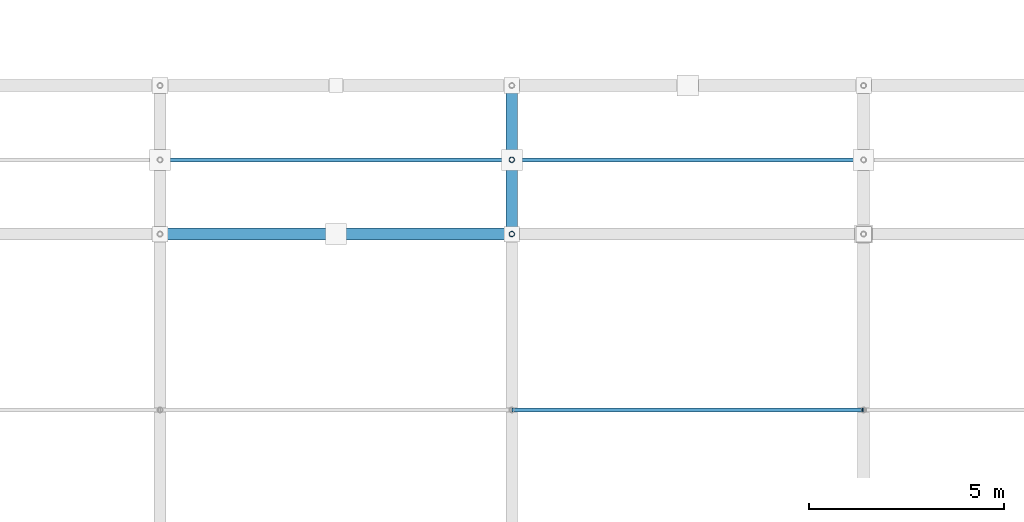
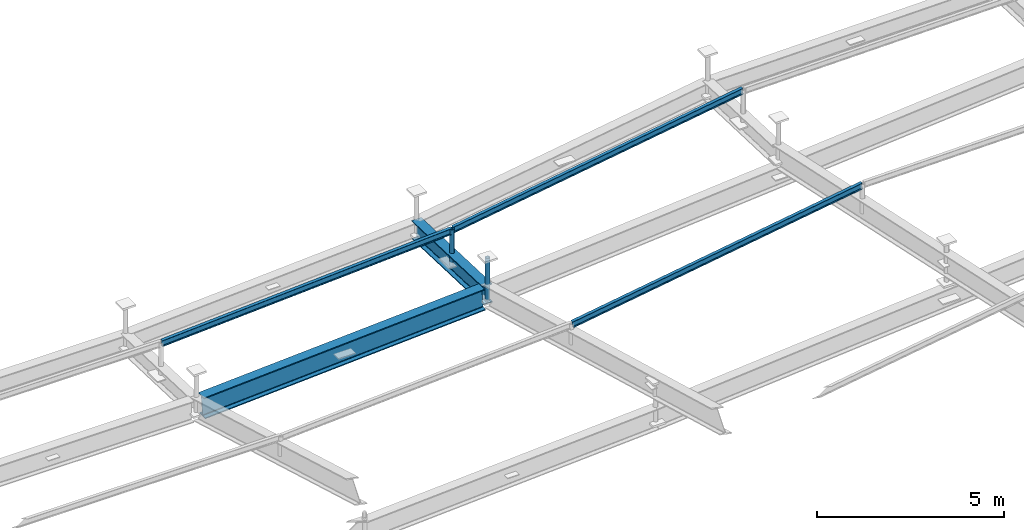
# One storey, part 49 of 80: 5 members, 2 beams.
"""IFC4 building model written with IfcOpenShell, lengths in metres."""

import ifcopenshell
import ifcopenshell.guid

model = None  # the IFC model being written
_history = None  # IfcOwnerHistory: only IFC2X3 demands one
_inside = {}  # id of a spatial element -> (the spatial element, [elements in it])
_under = {}  # id of a project, library or spatial element -> (it, [spatial elements below it])
_declared = {}  # id of a project -> (the project, [libraries it declares])
_typed = {}  # id of a type object -> (the type object, [elements of that type])
_made_of = {}  # id of a material, layer set ... -> (it, [elements and type objects made of it])


def new_model(schema):
    """Start an empty IFC model of exactly this schema.

    Asked for "IFC4X3", IfcOpenShell would pick the latest addendum, in which some entities
    have other attributes; the version numbers below select the first issue.
    IFC2X3 requires an IfcOwnerHistory on every rooted entity: one is made here for all.
    """
    global model, _history
    if schema == "IFC4X3":
        model = ifcopenshell.file(schema_version=(4, 3, 0, 0))
    else:
        model = ifcopenshell.file(schema=schema)
    _inside.clear()
    _under.clear()
    _declared.clear()
    _typed.clear()
    _made_of.clear()
    _history = None
    if model.schema == "IFC2X3":
        org = make("IfcOrganization", Name="unknown")
        user = make(
            "IfcPersonAndOrganization",
            ThePerson=make("IfcPerson", FamilyName="unknown"),
            TheOrganization=org,
        )
        app = make(
            "IfcApplication",
            ApplicationDeveloper=org,
            Version="unknown",
            ApplicationFullName="unknown",
            ApplicationIdentifier="unknown",
        )
        _history = make(
            "IfcOwnerHistory",
            OwningUser=user,
            OwningApplication=app,
            ChangeAction="ADDED",
            CreationDate=0,
        )
    return model


def make(cls, **values):
    """One entity of the class cls with the attributes given. An attribute that is None is left unset."""
    return model.create_entity(
        cls, **{name: value for name, value in values.items() if value is not None}
    )


def rooted(cls, **values):
    """An entity with a GlobalId (a new one), such as an element, a storey or a relation."""
    return make(cls, GlobalId=ifcopenshell.guid.new(), OwnerHistory=_history, **values)


def si_unit(unit_type, name, prefix=None):
    """IfcSIUnit, for example si_unit("LENGTHUNIT", "METRE", prefix="MILLI")."""
    return make("IfcSIUnit", UnitType=unit_type, Prefix=prefix, Name=name)


def assignment(units):
    """IfcUnitAssignment: the units of a project."""
    return None if units is None else make("IfcUnitAssignment", Units=units)


def point(xyz):
    """IfcCartesianPoint."""
    return None if xyz is None else make("IfcCartesianPoint", Coordinates=xyz)


def direction(xyz):
    """IfcDirection."""
    return None if xyz is None else make("IfcDirection", DirectionRatios=xyz)


def frame(location, z_axis=None, x_axis=None):
    """IfcAxis2Placement3D, a coordinate frame: its origin and axes. An axis left out is left unset."""
    return make(
        "IfcAxis2Placement3D",
        Location=point(location),
        Axis=direction(z_axis),
        RefDirection=direction(x_axis),
    )


def frame_2d(location, x_axis=None):
    """IfcAxis2Placement2D, a coordinate frame in the plane: its origin and x axis."""
    return make(
        "IfcAxis2Placement2D", Location=point(location), RefDirection=direction(x_axis)
    )


def origin():
    """The frame at (0, 0, 0) with its axes left unset."""
    return frame((0.0, 0.0, 0.0))


def origin_2d():
    """The frame at (0, 0) in the plane with its x axis left unset."""
    return frame_2d((0.0, 0.0))


def place(relative_to, where):
    """IfcLocalPlacement: puts the frame where relative to a parent placement (None: the world)."""
    return make(
        "IfcLocalPlacement", PlacementRelTo=relative_to, RelativePlacement=where
    )


def context(
    kind, dimensions, precision=None, world=None, true_north=None, identifier=None
):
    """IfcGeometricRepresentationContext, for example the 3D "Model" context."""
    return make(
        "IfcGeometricRepresentationContext",
        ContextIdentifier=identifier,
        ContextType=kind,
        CoordinateSpaceDimension=dimensions,
        Precision=precision,
        WorldCoordinateSystem=world,
        TrueNorth=true_north,
    )


def subcontext(parent, identifier, kind, view, scale=None):
    """IfcGeometricRepresentationSubContext, for example "Body" below "Model"."""
    return make(
        "IfcGeometricRepresentationSubContext",
        ContextIdentifier=identifier,
        ContextType=kind,
        ParentContext=parent,
        TargetScale=scale,
        TargetView=view,
    )


def project(units=None, contexts=None):
    """IfcProject with its units and contexts."""
    return rooted(
        "IfcProject",
        Name="project",
        RepresentationContexts=contexts,
        UnitsInContext=assignment(units),
    )


def spatial(cls, under=None, at=None, **own):
    """A site, building, storey or space (cls), placed at a placement, below another one or the project."""
    s = rooted(cls, ObjectPlacement=at, **own)
    if under is not None:
        _under.setdefault(under.id(), (under, []))[1].append(s)
    return s


def profile(cls, at=None, kind="AREA", **sizes):
    """A parametric profile (cls). Its sizes go by their IFC names, for example OverallWidth=200.0."""
    return make(cls, ProfileType=kind, Position=at, **sizes)


def hollow_circle(**sizes):
    """IfcCircleHollowProfileDef."""
    return profile("IfcCircleHollowProfileDef", **sizes)


def i_section(**sizes):
    """IfcIShapeProfileDef."""
    return profile("IfcIShapeProfileDef", **sizes)


def extrude(swept, where, along, depth):
    """IfcExtrudedAreaSolid: the profile swept, set in the frame where, extruded along a direction by depth."""
    return make(
        "IfcExtrudedAreaSolid",
        SweptArea=swept,
        Position=where,
        ExtrudedDirection=direction(along),
        Depth=depth,
    )


def shape(context_of_items, identifier, shape_type, items):
    """IfcShapeRepresentation: the items that make up one representation, for example the "Body"."""
    return make(
        "IfcShapeRepresentation",
        ContextOfItems=context_of_items,
        RepresentationIdentifier=identifier,
        RepresentationType=shape_type,
        Items=items,
    )


def material(Name=None, Category=None):
    """IfcMaterial."""
    return make("IfcMaterial", Name=Name, Category=Category)


def material_profile(
    of_material, cross_section, Name=None, Category=None, Priority=None
):
    """IfcMaterialProfile: a cross section and its material."""
    return make(
        "IfcMaterialProfile",
        Name=Name,
        Material=of_material,
        Profile=cross_section,
        Priority=Priority,
        Category=Category,
    )


def profile_set(profiles, Name=None, composite=None):
    """IfcMaterialProfileSet."""
    return make(
        "IfcMaterialProfileSet",
        Name=Name,
        MaterialProfiles=profiles,
        CompositeProfile=composite,
    )


def made_of(thing, what):
    """Note that an element or type object is made of a material, layer set ...; save() writes the relation."""
    if what is not None:
        _made_of.setdefault(what.id(), (what, []))[1].append(thing)
    return thing


def type_object(cls, material=None, **own):
    """A type object (cls), such as IfcWallType, which elements share."""
    return made_of(rooted(cls, **own), material)


def element(
    cls,
    number,
    at=None,
    inside=None,
    cuts=None,
    type_object=None,
    material=None,
    context=None,
    identifier="Body",
    shape_type=None,
    held_by="IfcProductDefinitionShape",
    body=None,
    shapes=None,
    **own,
):
    """One element of the class cls, such as IfcWall. Its Tag is "e" and its number.

    at: its placement. inside: the storey or other place that contains it. cuts: it is an
    opening in that element (IfcRelVoidsElement). A single representation is given by context,
    identifier, shape_type and body (its items); several are given by shapes. held_by: the class
    of the entity that holds the representations. save() writes the other relations.
    """
    e = rooted(cls, Tag="e%d" % number, ObjectPlacement=at, **own)
    if body is not None:
        shapes = [shape(context, identifier, shape_type, body)]
    if shapes is not None:
        e.Representation = make(held_by, Representations=shapes)
    if inside is not None:
        _inside.setdefault(inside.id(), (inside, []))[1].append(e)
    if cuts is not None:
        rooted(
            "IfcRelVoidsElement", RelatingBuildingElement=cuts, RelatedOpeningElement=e
        )
    if type_object is not None:
        _typed.setdefault(type_object.id(), (type_object, []))[1].append(e)
    return made_of(e, material)


def aggregate(whole, parts):
    """IfcRelAggregates: a whole, such as a stair, and the parts it consists of."""
    return rooted("IfcRelAggregates", RelatingObject=whole, RelatedObjects=parts)


def save(model, path):
    """Write the relations noted so far, then the file.

    IfcRelAggregates (storeys below a building ...), IfcRelContainedInSpatialStructure (elements
    in a storey), IfcRelDefinesByType, IfcRelAssociatesMaterial and IfcRelDeclares: one each for
    every whole, place, type object, material and project.
    """
    for whole, parts in _under.values():
        aggregate(whole, parts)
    for where, things in _inside.values():
        rooted(
            "IfcRelContainedInSpatialStructure",
            RelatedElements=things,
            RelatingStructure=where,
        )
    for kind, things in _typed.values():
        rooted("IfcRelDefinesByType", RelatedObjects=things, RelatingType=kind)
    for what, things in _made_of.values():
        rooted("IfcRelAssociatesMaterial", RelatedObjects=things, RelatingMaterial=what)
    for by, libraries in _declared.values():
        rooted("IfcRelDeclares", RelatingContext=by, RelatedDefinitions=libraries)
    model.write(path)


model = new_model("IFC4")

# Units and contexts
model_context = context("Model", 3, precision=1e-05, world=origin(), true_north=direction((0.0, 1.0)))
body_context = subcontext(model_context, "Body", "Model", "MODEL_VIEW")
ifc_project = project(units=[si_unit("LENGTHUNIT", "METRE"), si_unit("AREAUNIT", "SQUARE_METRE"), si_unit("VOLUMEUNIT", "CUBIC_METRE"), si_unit("PLANEANGLEUNIT", "RADIAN"), si_unit("MASSUNIT", "GRAM", prefix="KILO")], contexts=[model_context])

# Site, building, storey
site_placement = place(None, origin())
site = spatial("IfcSite", under=ifc_project, at=site_placement, CompositionType="ELEMENT")
building_placement = place(site_placement, origin())
building = spatial("IfcBuilding", under=site, at=building_placement, Name="Barlavento Convention Centre", CompositionType="ELEMENT")
storey_placement = place(building_placement, frame((0.0, 0.0, 29.800048828125)))
storey = spatial("IfcBuildingStorey", under=building, at=storey_placement, Name="RF", CompositionType="ELEMENT", Elevation=29.800048828125)

# Beams
ifc_material_1 = material(Name="Steel S355", Category="steel")
ifc_material_profile_1 = material_profile(ifc_material_1, i_section(OverallWidth=0.300048828125, OverallDepth=0.60009765625, WebThickness=0.015380859375, FlangeThickness=0.030029296875, FilletRadius=0.027099609375, at=origin_2d()), Name="HEB 600")
ifc_profile_set_1 = profile_set([ifc_material_profile_1], Name="Steel S355")
beam_type_1 = type_object("IfcBeamType", Name="STR-BM-CANT-HEB600", PredefinedType="BEAM", material=ifc_profile_set_1)
beam_1_placement = place(storey_placement, frame((45.0, 54.0048828125, -6.3173828125), z_axis=(0.0, 0.999328957614, -0.036628328838), x_axis=(-1.0, 0.0, 0.0)))
element("IfcBeam", 1, at=beam_1_placement, inside=storey, type_object=beam_type_1, Name="Congress roof truss space frame chord", PredefinedType="BEAM", context=body_context, shape_type="SweptSolid", body=[
    extrude(i_section(OverallWidth=0.300048828125, OverallDepth=0.60009765625, WebThickness=0.015380859375, FlangeThickness=0.030029296875, FilletRadius=0.027099609375, at=origin_2d()), origin(), (0.0, 0.0, 1.0), 3.79248046875),
])
ifc_material_2 = material(Name="Steel S460", Category="steel")
ifc_material_profile_2 = material_profile(ifc_material_2, i_section(OverallWidth=0.300048828125, OverallDepth=0.699951171875, WebThickness=0.01708984375, FlangeThickness=0.031982421875, FilletRadius=0.027099609375, at=origin_2d()), Name="HEB 700")
ifc_profile_set_2 = profile_set([ifc_material_profile_2], Name="Steel S460")
beam_type_2 = type_object("IfcBeamType", Name="STR-BM-TRUSS-TOP-HEB700", PredefinedType="BEAM", material=ifc_profile_set_2)
beam_2_placement = place(storey_placement, frame((36.1650390625, 54.0, -6.861083984375), z_axis=(0.998201011928, 0.0, 0.059956148864), x_axis=(0.0, 1.0, 0.0)))
element("IfcBeam", 2, at=beam_2_placement, inside=storey, type_object=beam_type_2, Name="Congress roof truss space frame chord", PredefinedType="BEAM", context=body_context, shape_type="SweptSolid", body=[
    extrude(i_section(OverallWidth=0.300048828125, OverallDepth=0.699951171875, WebThickness=0.01708984375, FlangeThickness=0.031982421875, FilletRadius=0.027099609375, at=origin_2d()), origin(), (0.0, 0.0, 1.0), 8.685546875),
])

# Members
ifc_material_profile_3 = material_profile(ifc_material_1, hollow_circle(Radius=0.06982421875, WallThickness=0.008056640625, at=origin_2d()), Name="CHS 139.7x8.0")
ifc_profile_set_3 = profile_set([ifc_material_profile_3], Name="Steel S355")
member_type_1 = type_object("IfcMemberType", Name="STR-MEM-DIAG-CHS139", PredefinedType="BRACE", material=ifc_profile_set_3)
member_1_placement = place(storey_placement, frame((45.0, 54.0, -6.46728515625), z_axis=(0.0, 0.0, 1.0), x_axis=(1.0, 0.0, 0.0)))
element("IfcMember", 3, at=member_1_placement, inside=storey, type_object=member_type_1, Name="Congress space frame vertical node post TD04", PredefinedType="BRACE", context=body_context, shape_type="SweptSolid", body=[
    extrude(hollow_circle(Radius=0.06982421875, WallThickness=0.008056640625, at=origin_2d()), origin(), (0.0, 0.0, 1.0), 1.369873046875),
])
member_2_placement = place(storey_placement, frame((45.0, 55.89990234375, -6.5068359375), z_axis=(0.0, 0.0, 1.0), x_axis=(1.0, 0.0, 0.0)))
element("IfcMember", 4, at=member_2_placement, inside=storey, type_object=member_type_1, Name="Congress space frame vertical node post TD04", PredefinedType="BRACE", context=body_context, shape_type="SweptSolid", body=[
    extrude(hollow_circle(Radius=0.06982421875, WallThickness=0.008056640625, at=origin_2d()), origin(), (0.0, 0.0, 1.0), 1.198974609375),
])
ifc_material_profile_4 = material_profile(ifc_material_1, i_section(OverallWidth=0.10009765625, OverallDepth=0.199951171875, WebThickness=0.005615234375, FlangeThickness=0.008544921875, FilletRadius=0.011962890625, at=origin_2d()), Name="IPE 200")
ifc_profile_set_4 = profile_set([ifc_material_profile_4], Name="Steel S355")
member_type_2 = type_object("IfcMemberType", Name="STR-MEM-PUR-IPE200", PredefinedType="PURLIN", material=ifc_profile_set_4)
member_3_placement = place(storey_placement, frame((45.02001953125, 49.5, -4.56396484375), z_axis=(0.987861198265, 0.0, 0.155339154637), x_axis=(0.0, 1.0, 0.0)))
element("IfcMember", 5, at=member_3_placement, inside=storey, type_object=member_type_2, Name="Congress roof intermediate purlin PR01", PredefinedType="PURLIN", context=body_context, shape_type="SweptSolid", body=[
    extrude(i_section(OverallWidth=0.10009765625, OverallDepth=0.199951171875, WebThickness=0.005615234375, FlangeThickness=0.008544921875, FilletRadius=0.011962890625, at=origin_2d()), origin(), (0.0, 0.0, 1.0), 9.070068359375),
])
member_4_placement = place(storey_placement, frame((36.02001953125, 55.89990234375, -5.909423828125), z_axis=(0.998185279809, 0.0, 0.060217498896), x_axis=(0.0, 1.0, 0.0)))
element("IfcMember", 6, at=member_4_placement, inside=storey, type_object=member_type_2, Name="Congress roof intermediate purlin PR01", PredefinedType="PURLIN", context=body_context, shape_type="SweptSolid", body=[
    extrude(i_section(OverallWidth=0.10009765625, OverallDepth=0.199951171875, WebThickness=0.005615234375, FlangeThickness=0.008544921875, FilletRadius=0.011962890625, at=origin_2d()), origin(), (0.0, 0.0, 1.0), 8.976318359375),
])
member_5_placement = place(storey_placement, frame((45.02001953125, 55.89990234375, -5.34765625), z_axis=(0.987836403081, 0.0, 0.155496754785), x_axis=(0.0, 1.0, 0.0)))
element("IfcMember", 7, at=member_5_placement, inside=storey, type_object=member_type_2, Name="Congress roof intermediate purlin PR01", PredefinedType="PURLIN", context=body_context, shape_type="SweptSolid", body=[
    extrude(i_section(OverallWidth=0.10009765625, OverallDepth=0.199951171875, WebThickness=0.005615234375, FlangeThickness=0.008544921875, FilletRadius=0.011962890625, at=origin_2d()), origin(), (0.0, 0.0, 1.0), 9.0703125),
])

save(model, "model.ifc")
